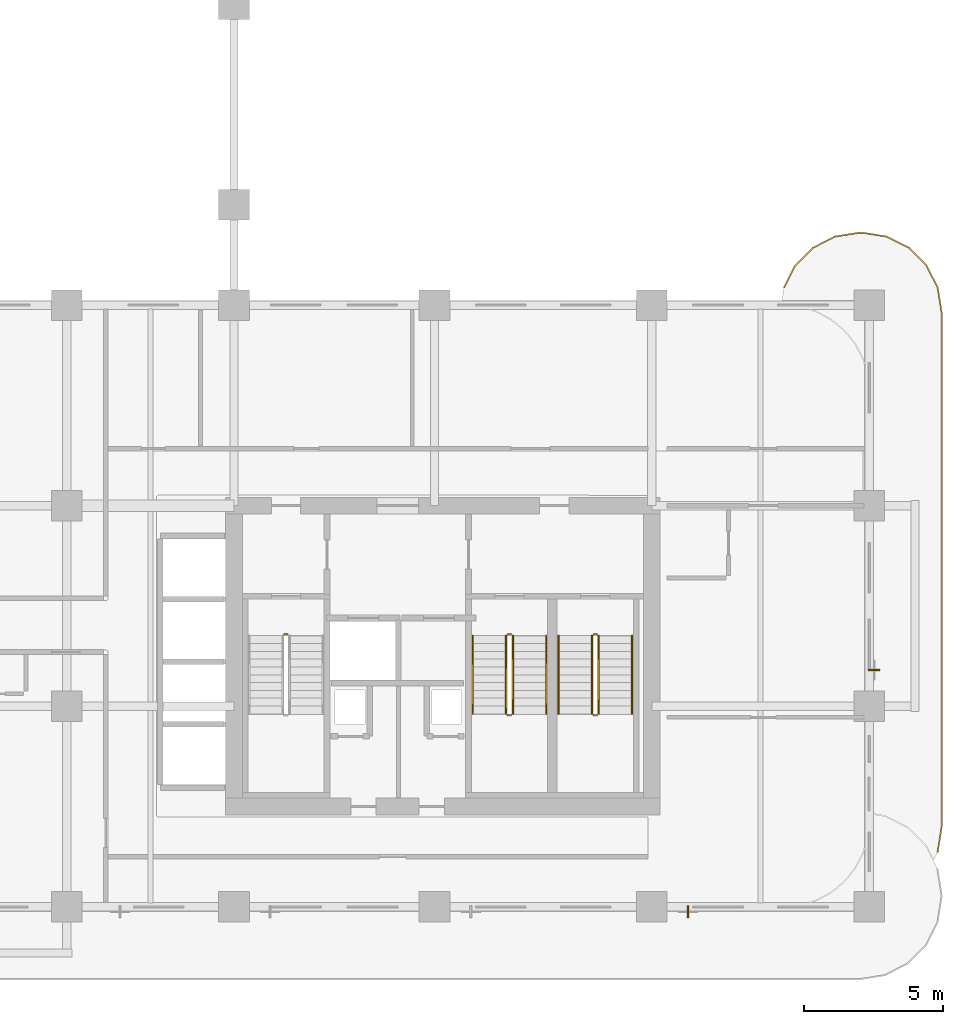
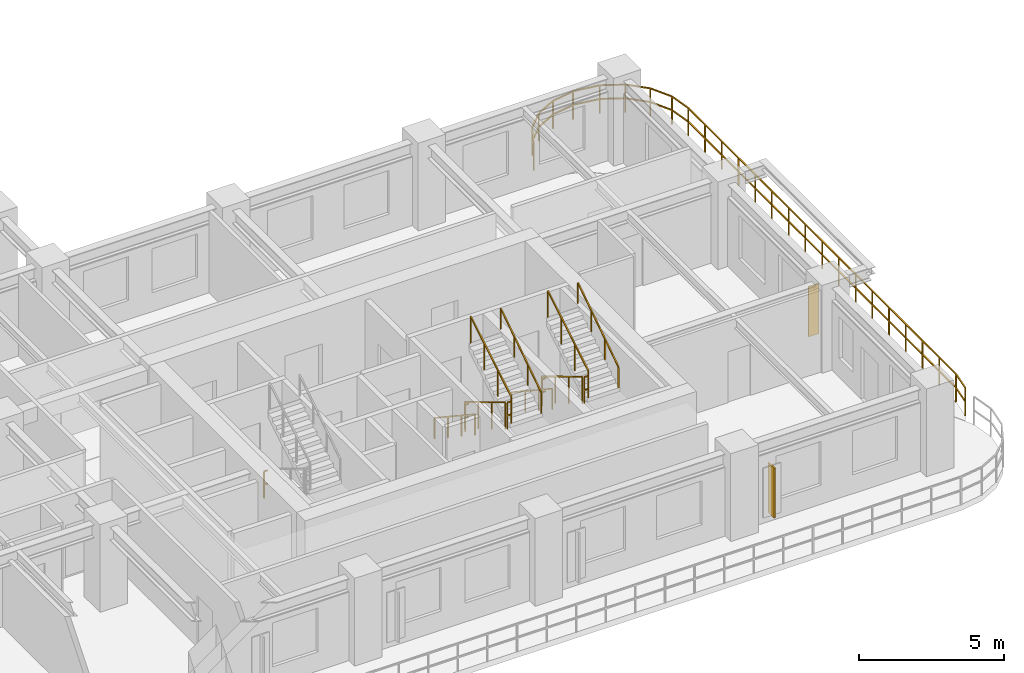
# One storey, part 17 of 19: 14 railings, 2 shading devices.
"""IFC4 building model written with IfcOpenShell, lengths in metres."""

from ifc_helpers import new_model, si_unit, derived_unit, direction, frame, origin, origin_2d, place, context, subcontext, project, spatial, rectangle, extrude, source, transform, mapped, material, layer, layer_set, type_object, type_shapes, element, save


model = new_model("IFC4")

# Units and contexts
model_context = context("Model", 3, precision=1e-05, world=origin(), true_north=direction((0.0, 1.0)))
body_context = subcontext(model_context, "Body", "Model", "MODEL_VIEW")
ifc_project = project(units=[si_unit("LENGTHUNIT", "METRE"), si_unit("AREAUNIT", "SQUARE_METRE"), si_unit("VOLUMEUNIT", "CUBIC_METRE"), si_unit("PLANEANGLEUNIT", "RADIAN"), si_unit("MASSUNIT", "GRAM", prefix="KILO"), si_unit("THERMODYNAMICTEMPERATUREUNIT", "KELVIN"), si_unit("POWERUNIT", "WATT"), derived_unit("THERMALTRANSMITTANCEUNIT", [(si_unit("POWERUNIT", "WATT"), 1), (si_unit("AREAUNIT", "SQUARE_METRE"), -1), (si_unit("THERMODYNAMICTEMPERATUREUNIT", "KELVIN"), -1)])], contexts=[model_context])

# Site, building, storey
site_placement = place(None, origin())
site = spatial("IfcSite", under=ifc_project, at=site_placement, CompositionType="ELEMENT")
building_placement = place(site_placement, origin())
building = spatial("IfcBuilding", under=site, at=building_placement, Name="Zahravan Archway Hotel and Residences", CompositionType="ELEMENT")
storey_placement = place(building_placement, frame((0.0, 0.0, 32.39990234375)))
storey = spatial("IfcBuildingStorey", under=building, at=storey_placement, Name="L06", CompositionType="ELEMENT", Elevation=32.39990234375)

# Railings
ifc_material_1 = material(Name="Bronze & Laminated Glass Balustrade", Category="glass")
railing_type_1 = type_object("IfcRailingType", Name="RL-BAL-1200", PredefinedType="BALUSTRADE", material=ifc_material_1)
railing_1_placement = place(storey_placement, frame((54.53955078125, 22.230712890625, 0.0)))
element("IfcRailing", 1, at=railing_1_placement, inside=storey, type_object=railing_type_1, Name="L06 Balustrade RL-SLB-BAL-L06-EA-1", PredefinedType="BALUSTRADE", context=body_context, shape_type="SweptSolid", body=[
    extrude(rectangle(XDim=0.048095703125, YDim=0.048095703125, at=origin_2d()), frame((0.0, 0.0, 1.17578125), z_axis=(0.453991409995, 0.891006060389, 0.0), x_axis=(-0.891006060389, 0.453991409995, 0.0)), (0.0, 0.0, 1.0), 0.8916015625),
    extrude(rectangle(XDim=0.048095703125, YDim=0.048095703125, at=origin_2d()), frame((0.0, 0.0, 0.60009765625), z_axis=(0.453991409995, 0.891006060389, 0.0), x_axis=(-0.891006060389, 0.453991409995, 0.0)), (0.0, 0.0, 1.0), 0.8916015625),
    extrude(rectangle(XDim=0.048095703125, YDim=0.048095703125, at=origin_2d()), frame((0.40478515625, 0.79443359375, 1.17578125), z_axis=(0.706969864397, 0.70724367147, 0.0), x_axis=(-0.70724367147, 0.706969864397, 0.0)), (0.0, 0.0, 1.0), 0.8916015625),
    extrude(rectangle(XDim=0.048095703125, YDim=0.048095703125, at=origin_2d()), frame((0.40478515625, 0.79443359375, 0.60009765625), z_axis=(0.706969864397, 0.70724367147, 0.0), x_axis=(-0.70724367147, 0.706969864397, 0.0)), (0.0, 0.0, 1.0), 0.8916015625),
    extrude(rectangle(XDim=0.048095703125, YDim=0.048095703125, at=origin_2d()), frame((1.03515625, 1.425048828125, 1.17578125), z_axis=(0.891062476022, 0.45388067135, 0.0), x_axis=(-0.45388067135, 0.891062476022, 0.0)), (0.0, 0.0, 1.0), 0.891845703125),
    extrude(rectangle(XDim=0.048095703125, YDim=0.048095703125, at=origin_2d()), frame((1.03515625, 1.425048828125, 0.60009765625), z_axis=(0.891062476022, 0.45388067135, 0.0), x_axis=(-0.45388067135, 0.891062476022, 0.0)), (0.0, 0.0, 1.0), 0.891845703125),
    extrude(rectangle(XDim=0.048095703125, YDim=0.048095703125, at=origin_2d()), frame((1.829833984375, 1.829833984375, 1.17578125), z_axis=(0.987700720307, 0.156356282588, 0.0), x_axis=(-0.156356282588, 0.987700720307, 0.0)), (0.0, 0.0, 1.0), 0.8916015625),
    extrude(rectangle(XDim=0.048095703125, YDim=0.048095703125, at=origin_2d()), frame((1.829833984375, 1.829833984375, 0.60009765625), z_axis=(0.987700720307, 0.156356282588, 0.0), x_axis=(-0.156356282588, 0.987700720307, 0.0)), (0.0, 0.0, 1.0), 0.8916015625),
    extrude(rectangle(XDim=0.048095703125, YDim=0.048095703125, at=origin_2d()), frame((2.71044921875, 1.96923828125, 1.17578125), z_axis=(1.0, 0.0, 0.0), x_axis=(0.0, 1.0, 0.0)), (0.0, 0.0, 1.0), 0.10009765625),
    extrude(rectangle(XDim=0.048095703125, YDim=0.048095703125, at=origin_2d()), frame((2.71044921875, 1.96923828125, 0.60009765625), z_axis=(1.0, 0.0, 0.0), x_axis=(0.0, 1.0, 0.0)), (0.0, 0.0, 1.0), 0.10009765625),
    extrude(rectangle(XDim=0.048095703125, YDim=0.048095703125, at=origin_2d()), frame((2.810546875, 1.96923828125, 1.17578125), z_axis=(0.987700720307, -0.156356282588, 0.0), x_axis=(0.156356282588, 0.987700720307, 0.0)), (0.0, 0.0, 1.0), 0.8916015625),
    extrude(rectangle(XDim=0.048095703125, YDim=0.048095703125, at=origin_2d()), frame((2.810546875, 1.96923828125, 0.60009765625), z_axis=(0.987700720307, -0.156356282588, 0.0), x_axis=(0.156356282588, 0.987700720307, 0.0)), (0.0, 0.0, 1.0), 0.8916015625),
    extrude(rectangle(XDim=0.048095703125, YDim=0.048095703125, at=origin_2d()), frame((3.691162109375, 1.829833984375, 1.17578125), z_axis=(0.891006060389, -0.453991409995, 0.0), x_axis=(0.453991409995, 0.891006060389, 0.0)), (0.0, 0.0, 1.0), 0.8916015625),
    extrude(rectangle(XDim=0.048095703125, YDim=0.048095703125, at=origin_2d()), frame((3.691162109375, 1.829833984375, 0.60009765625), z_axis=(0.891006060389, -0.453991409995, 0.0), x_axis=(0.453991409995, 0.891006060389, 0.0)), (0.0, 0.0, 1.0), 0.8916015625),
    extrude(rectangle(XDim=0.048095703125, YDim=0.048095703125, at=origin_2d()), frame((4.485595703125, 1.425048828125, 1.17578125), z_axis=(0.707106781187, -0.707106781187, 0.0), x_axis=(0.707106781187, 0.707106781187, 0.0)), (0.0, 0.0, 1.0), 0.891845703125),
    extrude(rectangle(XDim=0.048095703125, YDim=0.048095703125, at=origin_2d()), frame((4.485595703125, 1.425048828125, 0.60009765625), z_axis=(0.707106781187, -0.707106781187, 0.0), x_axis=(0.707106781187, 0.707106781187, 0.0)), (0.0, 0.0, 1.0), 0.891845703125),
    extrude(rectangle(XDim=0.048095703125, YDim=0.048095703125, at=origin_2d()), frame((5.1162109375, 0.79443359375, 1.17578125), z_axis=(0.453991409995, -0.891006060389, 0.0), x_axis=(0.891006060389, 0.453991409995, 0.0)), (0.0, 0.0, 1.0), 0.8916015625),
    extrude(rectangle(XDim=0.048095703125, YDim=0.048095703125, at=origin_2d()), frame((5.1162109375, 0.79443359375, 0.60009765625), z_axis=(0.453991409995, -0.891006060389, 0.0), x_axis=(0.891006060389, 0.453991409995, 0.0)), (0.0, 0.0, 1.0), 0.8916015625),
    extrude(rectangle(XDim=0.048095703125, YDim=0.048095703125, at=origin_2d()), frame((5.52099609375, 0.0, 1.17578125), z_axis=(0.156356282588, -0.987700720307, 0.0), x_axis=(0.987700720307, 0.156356282588, 0.0)), (0.0, 0.0, 1.0), 0.8916015625),
    extrude(rectangle(XDim=0.048095703125, YDim=0.048095703125, at=origin_2d()), frame((5.52099609375, 0.0, 0.60009765625), z_axis=(0.156356282588, -0.987700720307, 0.0), x_axis=(0.987700720307, 0.156356282588, 0.0)), (0.0, 0.0, 1.0), 0.8916015625),
    extrude(rectangle(XDim=0.048095703125, YDim=0.048095703125, at=origin_2d()), frame((5.660400390625, -0.880615234375, 1.17578125), z_axis=(0.0, -1.0, 0.0), x_axis=(1.0, 0.0, 0.0)), (0.0, 0.0, 1.0), 18.5),
    extrude(rectangle(XDim=0.048095703125, YDim=0.048095703125, at=origin_2d()), frame((5.660400390625, -0.880615234375, 0.60009765625), z_axis=(0.0, -1.0, 0.0), x_axis=(1.0, 0.0, 0.0)), (0.0, 0.0, 1.0), 18.5),
    extrude(rectangle(XDim=0.048095703125, YDim=0.048095703125, at=origin_2d()), frame((5.660400390625, -19.380615234375, 1.17578125), z_axis=(-0.156314005608, -0.987707411965, 0.0), x_axis=(0.987707411965, -0.156314005608, 0.0)), (0.0, 0.0, 1.0), 0.891845703125),
    extrude(rectangle(XDim=0.048095703125, YDim=0.048095703125, at=origin_2d()), frame((5.660400390625, -19.380615234375, 0.60009765625), z_axis=(-0.156314005608, -0.987707411965, 0.0), x_axis=(0.987707411965, -0.156314005608, 0.0)), (0.0, 0.0, 1.0), 0.891845703125),
    extrude(rectangle(XDim=0.0419921875, YDim=0.0419921875, at=origin_2d()), origin(), (0.0, 0.0, 1.0), 1.15185546875),
    extrude(rectangle(XDim=0.0419921875, YDim=0.0419921875, at=origin_2d()), frame((0.40478515625, 0.79443359375, 0.0)), (0.0, 0.0, 1.0), 1.15185546875),
    extrude(rectangle(XDim=0.0419921875, YDim=0.0419921875, at=origin_2d()), frame((1.03515625, 1.425048828125, 0.0)), (0.0, 0.0, 1.0), 1.15185546875),
    extrude(rectangle(XDim=0.0419921875, YDim=0.0419921875, at=origin_2d()), frame((1.829833984375, 1.829833984375, 0.0)), (0.0, 0.0, 1.0), 1.15185546875),
    extrude(rectangle(XDim=0.0419921875, YDim=0.0419921875, at=origin_2d()), frame((2.71044921875, 1.96923828125, 0.0)), (0.0, 0.0, 1.0), 1.15185546875),
    extrude(rectangle(XDim=0.0419921875, YDim=0.0419921875, at=origin_2d()), frame((3.691162109375, 1.829833984375, 0.0)), (0.0, 0.0, 1.0), 1.15185546875),
    extrude(rectangle(XDim=0.0419921875, YDim=0.0419921875, at=origin_2d()), frame((4.485595703125, 1.425048828125, 0.0)), (0.0, 0.0, 1.0), 1.15185546875),
    extrude(rectangle(XDim=0.0419921875, YDim=0.0419921875, at=origin_2d()), frame((5.1162109375, 0.79443359375, 0.0)), (0.0, 0.0, 1.0), 1.15185546875),
    extrude(rectangle(XDim=0.0419921875, YDim=0.0419921875, at=origin_2d()), frame((5.52099609375, 0.0, 0.0)), (0.0, 0.0, 1.0), 1.15185546875),
    extrude(rectangle(XDim=0.0419921875, YDim=0.0419921875, at=origin_2d()), frame((5.660400390625, -0.880615234375, 0.0)), (0.0, 0.0, 1.0), 1.15185546875),
    extrude(rectangle(XDim=0.0419921875, YDim=0.0419921875, at=origin_2d()), frame((5.660400390625, -2.036865234375, 0.0)), (0.0, 0.0, 1.0), 1.15185546875),
    extrude(rectangle(XDim=0.0419921875, YDim=0.0419921875, at=origin_2d()), frame((5.660400390625, -3.193115234375, 0.0)), (0.0, 0.0, 1.0), 1.15185546875),
    extrude(rectangle(XDim=0.0419921875, YDim=0.0419921875, at=origin_2d()), frame((5.660400390625, -4.349365234375, 0.0)), (0.0, 0.0, 1.0), 1.15185546875),
    extrude(rectangle(XDim=0.0419921875, YDim=0.0419921875, at=origin_2d()), frame((5.660400390625, -5.505615234375, 0.0)), (0.0, 0.0, 1.0), 1.15185546875),
    extrude(rectangle(XDim=0.0419921875, YDim=0.0419921875, at=origin_2d()), frame((5.660400390625, -6.661865234375, 0.0)), (0.0, 0.0, 1.0), 1.15185546875),
    extrude(rectangle(XDim=0.0419921875, YDim=0.0419921875, at=origin_2d()), frame((5.660400390625, -7.818115234375, 0.0)), (0.0, 0.0, 1.0), 1.15185546875),
    extrude(rectangle(XDim=0.0419921875, YDim=0.0419921875, at=origin_2d()), frame((5.660400390625, -8.974365234375, 0.0)), (0.0, 0.0, 1.0), 1.15185546875),
    extrude(rectangle(XDim=0.0419921875, YDim=0.0419921875, at=origin_2d()), frame((5.660400390625, -10.130615234375, 0.0)), (0.0, 0.0, 1.0), 1.15185546875),
    extrude(rectangle(XDim=0.0419921875, YDim=0.0419921875, at=origin_2d()), frame((5.660400390625, -11.286865234375, 0.0)), (0.0, 0.0, 1.0), 1.15185546875),
    extrude(rectangle(XDim=0.0419921875, YDim=0.0419921875, at=origin_2d()), frame((5.660400390625, -12.443115234375, 0.0)), (0.0, 0.0, 1.0), 1.15185546875),
    extrude(rectangle(XDim=0.0419921875, YDim=0.0419921875, at=origin_2d()), frame((5.660400390625, -13.599365234375, 0.0)), (0.0, 0.0, 1.0), 1.15185546875),
    extrude(rectangle(XDim=0.0419921875, YDim=0.0419921875, at=origin_2d()), frame((5.660400390625, -14.755615234375, 0.0)), (0.0, 0.0, 1.0), 1.15185546875),
    extrude(rectangle(XDim=0.0419921875, YDim=0.0419921875, at=origin_2d()), frame((5.660400390625, -15.911865234375, 0.0)), (0.0, 0.0, 1.0), 1.15185546875),
    extrude(rectangle(XDim=0.0419921875, YDim=0.0419921875, at=origin_2d()), frame((5.660400390625, -17.068115234375, 0.0)), (0.0, 0.0, 1.0), 1.15185546875),
    extrude(rectangle(XDim=0.0419921875, YDim=0.0419921875, at=origin_2d()), frame((5.660400390625, -18.224365234375, 0.0)), (0.0, 0.0, 1.0), 1.15185546875),
    extrude(rectangle(XDim=0.0419921875, YDim=0.0419921875, at=origin_2d()), frame((5.660400390625, -19.380615234375, 0.0)), (0.0, 0.0, 1.0), 1.15185546875),
    extrude(rectangle(XDim=0.0419921875, YDim=0.0419921875, at=origin_2d()), frame((5.52099609375, -20.261474609375, 0.0)), (0.0, 0.0, 1.0), 1.15185546875),
])
ifc_material_2 = material(Name="Painted Tubular Steel", Category="steel")
railing_type_2 = type_object("IfcRailingType", Name="RL-STG-1150", PredefinedType="GUARDRAIL", material=ifc_material_2)
railing_2_placement = place(storey_placement, frame((36.60009765625, 9.780029296875, 0.0)))
element("IfcRailing", 2, at=railing_2_placement, inside=storey, type_object=railing_type_2, Name="L06 ST-A1 stair guard 4", PredefinedType="GUARDRAIL", context=body_context, shape_type="SweptSolid", body=[
    extrude(rectangle(XDim=0.048095703125, YDim=0.048095703125, at=origin_2d()), frame((0.0, 0.0, 1.1259765625), z_axis=(1.0, 0.0, 0.0), x_axis=(0.0, 1.0, 0.0)), (0.0, 0.0, 1.0), 0.139892578125),
    extrude(rectangle(XDim=0.048095703125, YDim=0.048095703125, at=origin_2d()), frame((0.0, 0.0, 0.574951171875), z_axis=(1.0, 0.0, 0.0), x_axis=(0.0, 1.0, 0.0)), (0.0, 0.0, 1.0), 0.139892578125),
    extrude(rectangle(XDim=0.0419921875, YDim=0.0419921875, at=origin_2d()), origin(), (0.0, 0.0, 1.0), 1.101806640625),
])
railing_3_placement = place(storey_placement, frame((44.570068359375, 9.72998046875, 0.168212890625)))
element("IfcRailing", 3, at=railing_3_placement, inside=storey, type_object=railing_type_2, Name="L06 ST-A2 stair guard 1", PredefinedType="GUARDRAIL", context=body_context, shape_type="SweptSolid", body=[
    extrude(rectangle(XDim=0.048095703125, YDim=0.048095703125, at=origin_2d()), frame((0.0, 0.0, 1.1259765625), z_axis=(0.0, -0.857242210791, 0.514913383045), x_axis=(1.0, 0.0, 0.0)), (0.0, 0.0, 1.0), 3.266357421875),
    extrude(rectangle(XDim=0.0419921875, YDim=0.0419921875, at=origin_2d()), origin(), (0.0, 0.0, 1.0), 1.101806640625),
    extrude(rectangle(XDim=0.0419921875, YDim=0.0419921875, at=origin_2d()), frame((0.0, -0.933349609375, 0.560546875)), (0.0, 0.0, 1.0), 1.101806640625),
    extrude(rectangle(XDim=0.0419921875, YDim=0.0419921875, at=origin_2d()), frame((0.0, -1.86669921875, 1.121337890625)), (0.0, 0.0, 1.0), 1.101806640625),
    extrude(rectangle(XDim=0.0419921875, YDim=0.0419921875, at=origin_2d()), frame((0.0, -2.800048828125, 1.681884765625)), (0.0, 0.0, 1.0), 1.101806640625),
])
railing_4_placement = place(storey_placement, frame((44.6201171875, 6.8798828125, 1.85009765625)))
element("IfcRailing", 4, at=railing_4_placement, inside=storey, type_object=railing_type_2, Name="L06 ST-A2 stair guard 2", PredefinedType="GUARDRAIL", context=body_context, shape_type="SweptSolid", body=[
    extrude(rectangle(XDim=0.048095703125, YDim=0.048095703125, at=origin_2d()), frame((0.0, 0.0, 1.1259765625), z_axis=(1.0, 0.0, 0.0), x_axis=(0.0, 1.0, 0.0)), (0.0, 0.0, 1.0), 0.139892578125),
    extrude(rectangle(XDim=0.048095703125, YDim=0.048095703125, at=origin_2d()), frame((0.0, 0.0, 0.574951171875), z_axis=(1.0, 0.0, 0.0), x_axis=(0.0, 1.0, 0.0)), (0.0, 0.0, 1.0), 0.139892578125),
    extrude(rectangle(XDim=0.0419921875, YDim=0.0419921875, at=origin_2d()), origin(), (0.0, 0.0, 1.0), 1.101806640625),
])
railing_5_placement = place(storey_placement, frame((44.81005859375, 6.929931640625, 2.018310546875)))
element("IfcRailing", 5, at=railing_5_placement, inside=storey, type_object=railing_type_2, Name="L06 ST-A2 stair guard 3", PredefinedType="GUARDRAIL", context=body_context, shape_type="SweptSolid", body=[
    extrude(rectangle(XDim=0.048095703125, YDim=0.048095703125, at=origin_2d()), frame((0.0, 0.0, 1.1259765625), z_axis=(0.0, 0.857242210791, 0.514913383045), x_axis=(-1.0, 0.0, 0.0)), (0.0, 0.0, 1.0), 3.266357421875),
    extrude(rectangle(XDim=0.0419921875, YDim=0.0419921875, at=origin_2d()), origin(), (0.0, 0.0, 1.0), 1.101806640625),
    extrude(rectangle(XDim=0.0419921875, YDim=0.0419921875, at=origin_2d()), frame((0.0, 0.933349609375, 0.560546875)), (0.0, 0.0, 1.0), 1.101806640625),
    extrude(rectangle(XDim=0.0419921875, YDim=0.0419921875, at=origin_2d()), frame((0.0, 1.86669921875, 1.121337890625)), (0.0, 0.0, 1.0), 1.101806640625),
    extrude(rectangle(XDim=0.0419921875, YDim=0.0419921875, at=origin_2d()), frame((0.0, 2.800048828125, 1.681884765625)), (0.0, 0.0, 1.0), 1.101806640625),
])
railing_6_placement = place(storey_placement, frame((44.6201171875, 9.780029296875, 0.0)))
element("IfcRailing", 6, at=railing_6_placement, inside=storey, type_object=railing_type_2, Name="L06 ST-A2 stair guard 4", PredefinedType="GUARDRAIL", context=body_context, shape_type="SweptSolid", body=[
    extrude(rectangle(XDim=0.048095703125, YDim=0.048095703125, at=origin_2d()), frame((0.0, 0.0, 1.1259765625), z_axis=(1.0, 0.0, 0.0), x_axis=(0.0, 1.0, 0.0)), (0.0, 0.0, 1.0), 0.139892578125),
    extrude(rectangle(XDim=0.048095703125, YDim=0.048095703125, at=origin_2d()), frame((0.0, 0.0, 0.574951171875), z_axis=(1.0, 0.0, 0.0), x_axis=(0.0, 1.0, 0.0)), (0.0, 0.0, 1.0), 0.139892578125),
    extrude(rectangle(XDim=0.0419921875, YDim=0.0419921875, at=origin_2d()), origin(), (0.0, 0.0, 1.0), 1.101806640625),
])
railing_7_placement = place(storey_placement, frame((47.64990234375, 9.72998046875, 0.168212890625)))
element("IfcRailing", 7, at=railing_7_placement, inside=storey, type_object=railing_type_2, Name="L06 ST-A3 stair guard 1", PredefinedType="GUARDRAIL", context=body_context, shape_type="SweptSolid", body=[
    extrude(rectangle(XDim=0.048095703125, YDim=0.048095703125, at=origin_2d()), frame((0.0, 0.0, 1.1259765625), z_axis=(0.0, -0.857242210791, 0.514913383045), x_axis=(1.0, 0.0, 0.0)), (0.0, 0.0, 1.0), 3.266357421875),
    extrude(rectangle(XDim=0.0419921875, YDim=0.0419921875, at=origin_2d()), origin(), (0.0, 0.0, 1.0), 1.101806640625),
    extrude(rectangle(XDim=0.0419921875, YDim=0.0419921875, at=origin_2d()), frame((0.0, -0.933349609375, 0.560546875)), (0.0, 0.0, 1.0), 1.101806640625),
    extrude(rectangle(XDim=0.0419921875, YDim=0.0419921875, at=origin_2d()), frame((0.0, -1.86669921875, 1.121337890625)), (0.0, 0.0, 1.0), 1.101806640625),
    extrude(rectangle(XDim=0.0419921875, YDim=0.0419921875, at=origin_2d()), frame((0.0, -2.800048828125, 1.681884765625)), (0.0, 0.0, 1.0), 1.101806640625),
])
railing_8_placement = place(storey_placement, frame((47.699951171875, 6.8798828125, 1.85009765625)))
element("IfcRailing", 8, at=railing_8_placement, inside=storey, type_object=railing_type_2, Name="L06 ST-A3 stair guard 2", PredefinedType="GUARDRAIL", context=body_context, shape_type="SweptSolid", body=[
    extrude(rectangle(XDim=0.048095703125, YDim=0.048095703125, at=origin_2d()), frame((0.0, 0.0, 1.1259765625), z_axis=(1.0, 0.0, 0.0), x_axis=(0.0, 1.0, 0.0)), (0.0, 0.0, 1.0), 0.14013671875),
    extrude(rectangle(XDim=0.048095703125, YDim=0.048095703125, at=origin_2d()), frame((0.0, 0.0, 0.574951171875), z_axis=(1.0, 0.0, 0.0), x_axis=(0.0, 1.0, 0.0)), (0.0, 0.0, 1.0), 0.14013671875),
    extrude(rectangle(XDim=0.0419921875, YDim=0.0419921875, at=origin_2d()), origin(), (0.0, 0.0, 1.0), 1.101806640625),
])
railing_9_placement = place(storey_placement, frame((47.889892578125, 6.929931640625, 2.018310546875)))
element("IfcRailing", 9, at=railing_9_placement, inside=storey, type_object=railing_type_2, Name="L06 ST-A3 stair guard 3", PredefinedType="GUARDRAIL", context=body_context, shape_type="SweptSolid", body=[
    extrude(rectangle(XDim=0.048095703125, YDim=0.048095703125, at=origin_2d()), frame((0.0, 0.0, 1.1259765625), z_axis=(0.0, 0.857242210791, 0.514913383045), x_axis=(-1.0, 0.0, 0.0)), (0.0, 0.0, 1.0), 3.266357421875),
    extrude(rectangle(XDim=0.0419921875, YDim=0.0419921875, at=origin_2d()), origin(), (0.0, 0.0, 1.0), 1.101806640625),
    extrude(rectangle(XDim=0.0419921875, YDim=0.0419921875, at=origin_2d()), frame((0.0, 0.933349609375, 0.560546875)), (0.0, 0.0, 1.0), 1.101806640625),
    extrude(rectangle(XDim=0.0419921875, YDim=0.0419921875, at=origin_2d()), frame((0.0, 1.86669921875, 1.121337890625)), (0.0, 0.0, 1.0), 1.101806640625),
    extrude(rectangle(XDim=0.0419921875, YDim=0.0419921875, at=origin_2d()), frame((0.0, 2.800048828125, 1.681884765625)), (0.0, 0.0, 1.0), 1.101806640625),
])
railing_10_placement = place(storey_placement, frame((47.699951171875, 9.780029296875, 0.0)))
element("IfcRailing", 10, at=railing_10_placement, inside=storey, type_object=railing_type_2, Name="L06 ST-A3 stair guard 4", PredefinedType="GUARDRAIL", context=body_context, shape_type="SweptSolid", body=[
    extrude(rectangle(XDim=0.048095703125, YDim=0.048095703125, at=origin_2d()), frame((0.0, 0.0, 1.1259765625), z_axis=(1.0, 0.0, 0.0), x_axis=(0.0, 1.0, 0.0)), (0.0, 0.0, 1.0), 0.14013671875),
    extrude(rectangle(XDim=0.048095703125, YDim=0.048095703125, at=origin_2d()), frame((0.0, 0.0, 0.574951171875), z_axis=(1.0, 0.0, 0.0), x_axis=(0.0, 1.0, 0.0)), (0.0, 0.0, 1.0), 0.14013671875),
    extrude(rectangle(XDim=0.0419921875, YDim=0.0419921875, at=origin_2d()), origin(), (0.0, 0.0, 1.0), 1.101806640625),
])
ifc_material_3 = material(Name="Brushed Stainless Steel", Category="steel")
railing_type_3 = type_object("IfcRailingType", Name="RL-STH-900", PredefinedType="HANDRAIL", material=ifc_material_3)
railing_11_placement = place(storey_placement, frame((43.3701171875, 9.72998046875, 0.168212890625)))
element("IfcRailing", 11, at=railing_11_placement, inside=storey, type_object=railing_type_3, Name="L06 ST-A2 stair handrail 1", PredefinedType="HANDRAIL", context=body_context, shape_type="SweptSolid", body=[
    extrude(rectangle(XDim=0.048095703125, YDim=0.048095703125, at=origin_2d()), frame((0.0, 0.0, 0.8759765625), z_axis=(0.0, -0.834326358476, 0.551270829586), x_axis=(1.0, 0.0, 0.0)), (0.0, 0.0, 1.0), 3.35595703125),
    extrude(rectangle(XDim=0.0419921875, YDim=0.0419921875, at=origin_2d()), origin(), (0.0, 0.0, 1.0), 0.851806640625),
    extrude(rectangle(XDim=0.0419921875, YDim=0.0419921875, at=origin_2d()), frame((0.0, -0.933349609375, 0.61669921875)), (0.0, 0.0, 1.0), 0.851806640625),
    extrude(rectangle(XDim=0.0419921875, YDim=0.0419921875, at=origin_2d()), frame((0.0, -1.86669921875, 1.2333984375)), (0.0, 0.0, 1.0), 0.851806640625),
    extrude(rectangle(XDim=0.0419921875, YDim=0.0419921875, at=origin_2d()), frame((0.0, -2.800048828125, 1.85009765625)), (0.0, 0.0, 1.0), 0.851806640625),
])
railing_12_placement = place(storey_placement, frame((46.010009765625, 6.929931640625, 2.018310546875)))
element("IfcRailing", 12, at=railing_12_placement, inside=storey, type_object=railing_type_3, Name="L06 ST-A2 stair handrail 2", PredefinedType="HANDRAIL", context=body_context, shape_type="SweptSolid", body=[
    extrude(rectangle(XDim=0.048095703125, YDim=0.048095703125, at=origin_2d()), frame((0.0, 0.0, 0.8759765625), z_axis=(0.0, 0.83435981716, 0.551220187865), x_axis=(-1.0, 0.0, 0.0)), (0.0, 0.0, 1.0), 3.35595703125),
    extrude(rectangle(XDim=0.0419921875, YDim=0.0419921875, at=origin_2d()), origin(), (0.0, 0.0, 1.0), 0.851806640625),
    extrude(rectangle(XDim=0.0419921875, YDim=0.0419921875, at=origin_2d()), frame((0.0, 0.933349609375, 0.61669921875)), (0.0, 0.0, 1.0), 0.851806640625),
    extrude(rectangle(XDim=0.0419921875, YDim=0.0419921875, at=origin_2d()), frame((0.0, 1.86669921875, 1.233154296875)), (0.0, 0.0, 1.0), 0.851806640625),
    extrude(rectangle(XDim=0.0419921875, YDim=0.0419921875, at=origin_2d()), frame((0.0, 2.800048828125, 1.849853515625)), (0.0, 0.0, 1.0), 0.851806640625),
])
railing_13_placement = place(storey_placement, frame((46.449951171875, 9.72998046875, 0.168212890625)))
element("IfcRailing", 13, at=railing_13_placement, inside=storey, type_object=railing_type_3, Name="L06 ST-A3 stair handrail 1", PredefinedType="HANDRAIL", context=body_context, shape_type="SweptSolid", body=[
    extrude(rectangle(XDim=0.048095703125, YDim=0.048095703125, at=origin_2d()), frame((0.0, 0.0, 0.8759765625), z_axis=(0.0, -0.834326358476, 0.551270829586), x_axis=(1.0, 0.0, 0.0)), (0.0, 0.0, 1.0), 3.35595703125),
    extrude(rectangle(XDim=0.0419921875, YDim=0.0419921875, at=origin_2d()), origin(), (0.0, 0.0, 1.0), 0.851806640625),
    extrude(rectangle(XDim=0.0419921875, YDim=0.0419921875, at=origin_2d()), frame((0.0, -0.933349609375, 0.61669921875)), (0.0, 0.0, 1.0), 0.851806640625),
    extrude(rectangle(XDim=0.0419921875, YDim=0.0419921875, at=origin_2d()), frame((0.0, -1.86669921875, 1.2333984375)), (0.0, 0.0, 1.0), 0.851806640625),
    extrude(rectangle(XDim=0.0419921875, YDim=0.0419921875, at=origin_2d()), frame((0.0, -2.800048828125, 1.85009765625)), (0.0, 0.0, 1.0), 0.851806640625),
])
railing_14_placement = place(storey_placement, frame((49.090087890625, 6.929931640625, 2.018310546875)))
element("IfcRailing", 14, at=railing_14_placement, inside=storey, type_object=railing_type_3, Name="L06 ST-A3 stair handrail 2", PredefinedType="HANDRAIL", context=body_context, shape_type="SweptSolid", body=[
    extrude(rectangle(XDim=0.048095703125, YDim=0.048095703125, at=origin_2d()), frame((0.0, 0.0, 0.8759765625), z_axis=(0.0, 0.83435981716, 0.551220187865), x_axis=(-1.0, 0.0, 0.0)), (0.0, 0.0, 1.0), 3.35595703125),
    extrude(rectangle(XDim=0.0419921875, YDim=0.0419921875, at=origin_2d()), origin(), (0.0, 0.0, 1.0), 0.851806640625),
    extrude(rectangle(XDim=0.0419921875, YDim=0.0419921875, at=origin_2d()), frame((0.0, 0.933349609375, 0.61669921875)), (0.0, 0.0, 1.0), 0.851806640625),
    extrude(rectangle(XDim=0.0419921875, YDim=0.0419921875, at=origin_2d()), frame((0.0, 1.86669921875, 1.233154296875)), (0.0, 0.0, 1.0), 0.851806640625),
    extrude(rectangle(XDim=0.0419921875, YDim=0.0419921875, at=origin_2d()), frame((0.0, 2.800048828125, 1.849853515625)), (0.0, 0.0, 1.0), 0.851806640625),
])

# Shading devices
ifc_material_4 = material(Name="Terracotta & Bronze Solar Brise-Soleil", Category="masonry")
ifc_layer = layer(ifc_material_4, 0.06005859375, Name="Terracotta & Bronze Solar Brise-Soleil", Category="masonry")
ifc_layer_set = layer_set([ifc_layer], Name="Terracotta & Bronze Solar Brise-Soleil")
shading_device_type = type_object("IfcShadingDeviceType", Name="SHD-MASH-FIN", PredefinedType="JALOUSIE", material=ifc_layer_set)
shared_shape = source(origin(), body_context, "Body", "SweptSolid", [
    extrude(rectangle(XDim=0.06005859375, YDim=0.419921875, at=origin_2d()), origin(), (0.0, 0.0, 1.0), 2.10009765625),
])
type_shapes(shading_device_type, [shared_shape])
for number, where, z_axis, x_axis, name in (
    (15, (51.10009765625, -0.177978515625, 0.25), (0.0, 0.0, 1.0), (1.0, 0.0, 0.0), "L06 Solar Mashrabiya Fin 05"),
    (16, (57.778076171875, 8.5, 0.25), (0.0, 0.0, 1.0), (0.0, 1.0, 0.0), "L06 Solar Mashrabiya Fin 06"),
):
    element("IfcShadingDevice", number, at=place(storey_placement, frame(where, z_axis=z_axis, x_axis=x_axis)), inside=storey, type_object=shading_device_type, Name=name, PredefinedType="JALOUSIE", context=body_context, shape_type="MappedRepresentation", body=[
        mapped(shared_shape, transform((0.0, 0.0, 0.0), scale=1.0)),
    ])

save(model, "model.ifc")
